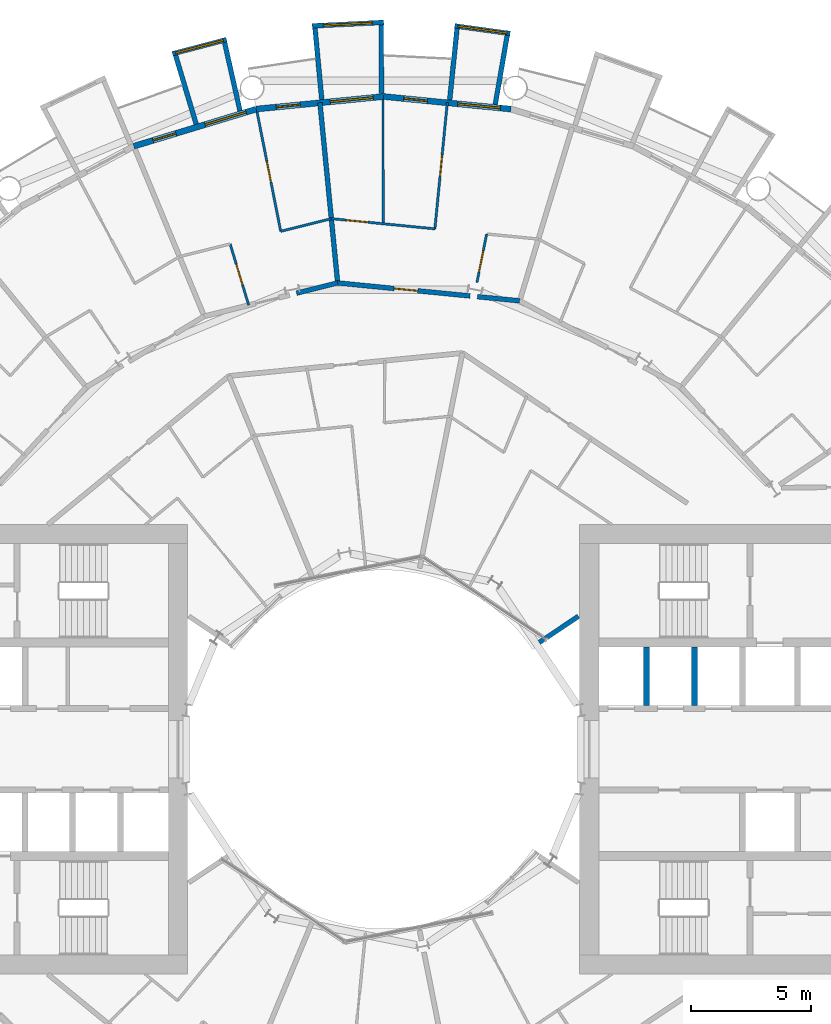
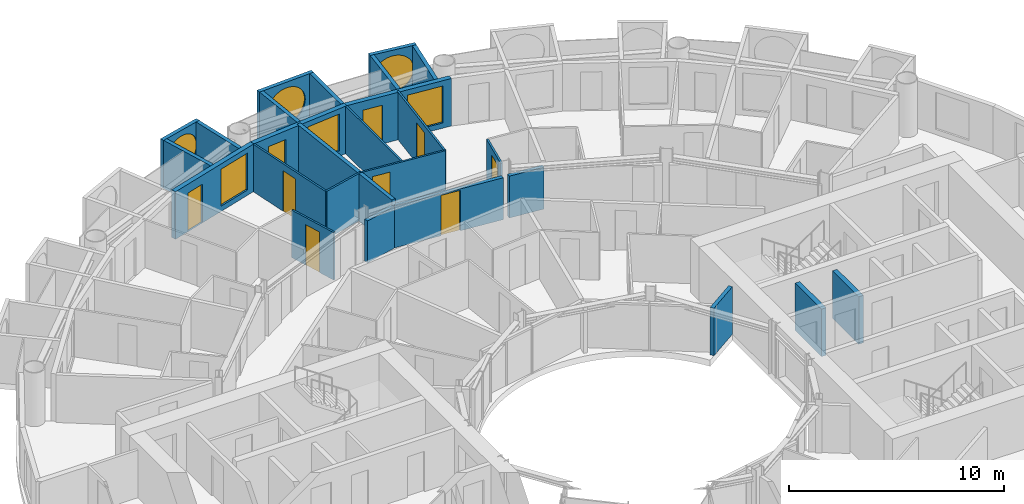
# One storey, part 20 of 26: 26 walls, 9 doors, 6 windows, 15 openings.
"""IFC4 building model written with IfcOpenShell, lengths in metres."""

from ifc_helpers import new_model, si_unit, direction, frame, frame_2d, origin, place, context, subcontext, project, spatial, rectangle, circle, extrude, material, layer, layer_set, type_object, element, fill, save


model = new_model("IFC4")

# Units and contexts
model_context = context("Model", 3, precision=1e-05, world=origin(), true_north=direction((0.0, 1.0)))
body_context = subcontext(model_context, "Body", "Model", "MODEL_VIEW")
ifc_project = project(units=[si_unit("LENGTHUNIT", "METRE"), si_unit("AREAUNIT", "SQUARE_METRE"), si_unit("VOLUMEUNIT", "CUBIC_METRE"), si_unit("PLANEANGLEUNIT", "RADIAN"), si_unit("MASSUNIT", "GRAM", prefix="KILO")], contexts=[model_context])

# Site, building, storey
site_placement = place(None, origin())
site = spatial("IfcSite", under=ifc_project, at=site_placement, CompositionType="ELEMENT")
building_placement = place(site_placement, origin())
building = spatial("IfcBuilding", under=site, at=building_placement, Name="Maasbend Ring Residences", CompositionType="ELEMENT")
storey_placement = place(building_placement, frame((0.0, 0.0, 22.800048828125)))
storey = spatial("IfcBuildingStorey", under=building, at=storey_placement, Name="L05", CompositionType="ELEMENT", Elevation=22.800048828125)

# Wall, opening, door
ifc_material_1 = material(Name="Concrete C30/37", Category="concrete")
ifc_layer_1 = layer(ifc_material_1, 0.199951171875)
ifc_layer_set_1 = layer_set([ifc_layer_1], Name="Concrete C30/37")
wall_type_1 = type_object("IfcWallType", Name="CORRIDOR WALL 200 CONCRETE", PredefinedType="PARTITIONING", material=ifc_layer_set_1)
wall_1_placement = place(storey_placement, frame((-1.927978515625, 19.5048828125, 0.0), z_axis=(0.0, 0.0, 1.0), x_axis=(0.995204127684, -0.097819958296, 0.0)))
wall_1 = element("IfcWall", 1, at=wall_1_placement, inside=storey, type_object=wall_type_1, Name="U-L05-w109", PredefinedType="PARTITIONING", context=body_context, shape_type="SweptSolid", body=[
    extrude(rectangle(XDim=5.570556640625, YDim=0.199951171875, at=frame_2d((2.78515625, 0.0))), origin(), (0.0, 0.0, 1.0), 2.3798828125),
])
opening_1_placement = place(wall_1_placement, frame((2.375, 0.0, 0.0)))
opening_1 = element("IfcOpeningElement", 2, at=opening_1_placement, cuts=wall_1, Name="Opening D-0508", PredefinedType="OPENING", context=body_context, shape_type="SweptSolid", body=[
    extrude(rectangle(XDim=1.0, YDim=2.300048828125, at=frame_2d((0.5, 1.14990234375))), frame((0.0, 0.10986328125, 0.0), z_axis=(0.0, -1.0, 0.0), x_axis=(1.0, 0.0, 0.0)), (0.0, 0.0, 1.0), 0.219970703125),
])
ifc_material_2 = material(Name="Timber, fire-rated, painted", Category="wood")
door_type_1 = type_object("IfcDoorType", Name="FLAT ENTRANCE DOOR 1000 X 2300 FIRE-RATED", OperationType="NOTDEFINED", PredefinedType="DOOR", material=ifc_material_2)
door_1_placement = place(opening_1_placement, origin())
door_1 = element("IfcDoor", 3, at=door_1_placement, inside=storey, type_object=door_type_1, Name="D-0508", OperationType="SINGLE_SWING_RIGHT", OverallHeight=2.300048828125, OverallWidth=1.0, PredefinedType="DOOR", context=body_context, shape_type="SweptSolid", body=[
    extrude(rectangle(XDim=1.0, YDim=2.300048828125, at=frame_2d((0.5, 1.14990234375))), frame((0.0, 0.02490234375, 0.0), z_axis=(0.0, -1.0, 0.0), x_axis=(1.0, 0.0, 0.0)), (0.0, 0.0, 1.0), 0.050048828125),
])
fill(opening_1, door_1)

# Walls
wall_2_placement = place(storey_placement, frame((3.9208984375, 18.929931640625, 0.0), z_axis=(0.0, 0.0, 1.0), x_axis=(0.995207057161, -0.097790149696, 0.0)))
element("IfcWall", 4, at=wall_2_placement, inside=storey, type_object=wall_type_1, Name="U-L05-w110", PredefinedType="PARTITIONING", context=body_context, shape_type="SweptSolid", body=[
    extrude(rectangle(XDim=1.777587890625, YDim=0.199951171875, at=frame_2d((0.888671875, 0.0))), origin(), (0.0, 0.0, 1.0), 2.3798828125),
])
wall_3_placement = place(storey_placement, frame((-3.638916015625, 19.075927734375, 0.0), z_axis=(0.0, 0.0, 1.0), x_axis=(0.970053237222, 0.242892397895, 0.0)))
element("IfcWall", 5, at=wall_3_placement, inside=storey, type_object=wall_type_1, Name="U-L05-w117", PredefinedType="PARTITIONING", context=body_context, shape_type="SweptSolid", body=[
    extrude(rectangle(XDim=1.77099609375, YDim=0.199951171875, at=frame_2d((0.885498046875, 0.0))), origin(), (0.0, 0.0, 1.0), 2.3798828125),
])

# Wall, opening, window
ifc_material_3 = material(Name="Pale anodised aluminium panel", Category="aluminium")
ifc_layer_2 = layer(ifc_material_3, 0.199951171875)
ifc_layer_set_2 = layer_set([ifc_layer_2], Name="EW-BOX")
wall_type_2 = type_object("IfcWallType", Name="EW-BOX", PredefinedType="SOLIDWALL", material=ifc_layer_set_2)
wall_4_placement = place(storey_placement, frame((5.2900390625, 29.93603515625, -0.030029296875), z_axis=(0.0, 0.0, 1.0), x_axis=(-0.990696111261, 0.136092671119, 0.0)))
wall_4 = element("IfcWall", 6, at=wall_4_placement, inside=storey, type_object=wall_type_2, Name="Box front N09", PredefinedType="SOLIDWALL", context=body_context, shape_type="SweptSolid", body=[
    extrude(rectangle(XDim=2.335693359375, YDim=0.199951171875, at=frame_2d((1.16796875, 0.0))), origin(), (0.0, 0.0, 1.0), 2.72998046875),
])
opening_2_placement = place(wall_4_placement, frame((0.128173828125, 0.0, 0.330078125)))
opening_2 = element("IfcOpeningElement", 7, at=opening_2_placement, cuts=wall_4, Name="Opening W-RD", PredefinedType="OPENING", context=body_context, shape_type="SweptSolid", body=[
    extrude(circle(Radius=1.0400390625, at=frame_2d((1.0400390625, 1.0400390625))), frame((0.0, 0.10986328125, 0.0), z_axis=(0.0, -1.0, 0.0), x_axis=(1.0, 0.0, 0.0)), (0.0, 0.0, 1.0), 0.219970703125),
])
ifc_material_4 = material(Name="Aluminium and clear glass", Category="aluminium")
window_type_1 = type_object("IfcWindowType", Name="W-RD", PartitioningType="SINGLE_PANEL", PredefinedType="WINDOW", material=ifc_material_4)
window_1_placement = place(opening_2_placement, origin())
window_1 = element("IfcWindow", 8, at=window_1_placement, inside=storey, type_object=window_type_1, Name="Round window N09", OverallHeight=2.080078125, OverallWidth=2.080078125, PartitioningType="SINGLE_PANEL", PredefinedType="WINDOW", context=body_context, shape_type="SweptSolid", body=[
    extrude(circle(Radius=1.0400390625, at=frame_2d((1.0400390625, 1.0400390625))), frame((0.0, 0.030029296875, 0.0), z_axis=(0.0, -1.0, 0.0), x_axis=(1.0, 0.0, 0.0)), (0.0, 0.0, 1.0), 0.06005859375),
])
fill(opening_2, window_1)

# Walls
wall_5_placement = place(storey_placement, frame((4.6708984375, 26.966064453125, -0.030029296875), z_axis=(0.0, 0.0, 1.0), x_axis=(0.170539878907, 0.985350774954, 0.0)))
element("IfcWall", 9, at=wall_5_placement, inside=storey, type_object=wall_type_2, Name="Box side wall N09 left", PredefinedType="SOLIDWALL", context=body_context, shape_type="SweptSolid", body=[
    extrude(rectangle(XDim=2.931884765625, YDim=0.199951171875, at=frame_2d((1.4658203125, 0.0))), origin(), (0.0, 0.0, 1.0), 2.72998046875),
])
wall_6_placement = place(storey_placement, frame((2.763916015625, 27.153076171875, -0.030029296875), z_axis=(0.0, 0.0, 1.0), x_axis=(0.101505487237, 0.994834979311, 0.0)))
element("IfcWall", 10, at=wall_6_placement, inside=storey, type_object=wall_type_2, Name="Box side wall N09 right", PredefinedType="SOLIDWALL", context=body_context, shape_type="SweptSolid", body=[
    extrude(rectangle(XDim=3.006591796875, YDim=0.199951171875, at=frame_2d((1.50341796875, 0.0))), origin(), (0.0, 0.0, 1.0), 2.72998046875),
])

# Wall, opening, window
wall_7_placement = place(storey_placement, frame((0.0048828125, 30.39990234375, -0.030029296875), z_axis=(0.0, 0.0, 1.0), x_axis=(-0.998794083011, -0.049095618353, 0.0)))
wall_7 = element("IfcWall", 11, at=wall_7_placement, inside=storey, type_object=wall_type_2, Name="Box front N11", PredefinedType="SOLIDWALL", context=body_context, shape_type="SweptSolid", body=[
    extrude(rectangle(XDim=2.99365234375, YDim=0.199951171875, at=frame_2d((1.496826171875, 0.0))), origin(), (0.0, 0.0, 1.0), 2.72998046875),
])
opening_3_placement = place(wall_7_placement, frame((0.45654296875, 0.0, 0.330078125)))
opening_3 = element("IfcOpeningElement", 12, at=opening_3_placement, cuts=wall_7, Name="Opening W-RD", PredefinedType="OPENING", context=body_context, shape_type="SweptSolid", body=[
    extrude(circle(Radius=1.0400390625, at=frame_2d((1.0400390625, 1.0400390625))), frame((0.0, 0.10986328125, 0.0), z_axis=(0.0, -1.0, 0.0), x_axis=(1.0, 0.0, 0.0)), (0.0, 0.0, 1.0), 0.219970703125),
])
window_2_placement = place(opening_3_placement, origin())
window_2 = element("IfcWindow", 13, at=window_2_placement, inside=storey, type_object=window_type_1, Name="Round window N11", OverallHeight=2.080078125, OverallWidth=2.080078125, PartitioningType="SINGLE_PANEL", PredefinedType="WINDOW", context=body_context, shape_type="SweptSolid", body=[
    extrude(circle(Radius=1.0400390625, at=frame_2d((1.0400390625, 1.0400390625))), frame((0.0, 0.030029296875, 0.0), z_axis=(0.0, -1.0, 0.0), x_axis=(1.0, 0.0, 0.0)), (0.0, 0.0, 1.0), 0.06005859375),
])
fill(opening_3, window_2)

# Walls
wall_8_placement = place(storey_placement, frame((-0.090087890625, 27.4169921875, -0.030029296875), z_axis=(0.0, 0.0, 1.0), x_axis=(-0.00347308367, 0.999993968827, 0.0)))
element("IfcWall", 14, at=wall_8_placement, inside=storey, type_object=wall_type_2, Name="Box side wall N11 left", PredefinedType="SOLIDWALL", context=body_context, shape_type="SweptSolid", body=[
    extrude(rectangle(XDim=2.882080078125, YDim=0.199951171875, at=frame_2d((1.44091796875, 0.0))), origin(), (0.0, 0.0, 1.0), 2.72998046875),
])
wall_9_placement = place(storey_placement, frame((-2.5859375, 27.1708984375, -0.030029296875), z_axis=(0.0, 0.0, 1.0), x_axis=(-0.094548432284, 0.995520262954, 0.0)))
element("IfcWall", 15, at=wall_9_placement, inside=storey, type_object=wall_type_2, Name="Box side wall N11 right", PredefinedType="SOLIDWALL", context=body_context, shape_type="SweptSolid", body=[
    extrude(rectangle(XDim=3.005615234375, YDim=0.199951171875, at=frame_2d((1.5029296875, 0.0))), origin(), (0.0, 0.0, 1.0), 2.72998046875),
])

# Wall, opening, window
wall_10_placement = place(storey_placement, frame((-6.568115234375, 29.681884765625, -0.030029296875), z_axis=(0.0, 0.0, 1.0), x_axis=(-0.967377102346, -0.253340762326, 0.0)))
wall_10 = element("IfcWall", 16, at=wall_10_placement, inside=storey, type_object=wall_type_2, Name="Box front N13", PredefinedType="SOLIDWALL", context=body_context, shape_type="SweptSolid", body=[
    extrude(rectangle(XDim=2.3359375, YDim=0.199951171875, at=frame_2d((1.16796875, 0.0))), origin(), (0.0, 0.0, 1.0), 2.72998046875),
])
opening_4_placement = place(wall_10_placement, frame((0.128173828125, 0.0, 0.330078125)))
opening_4 = element("IfcOpeningElement", 17, at=opening_4_placement, cuts=wall_10, Name="Opening W-RD", PredefinedType="OPENING", context=body_context, shape_type="SweptSolid", body=[
    extrude(circle(Radius=1.0400390625, at=frame_2d((1.0400390625, 1.0400390625))), frame((0.0, 0.10986328125, 0.0), z_axis=(0.0, -1.0, 0.0), x_axis=(1.0, 0.0, 0.0)), (0.0, 0.0, 1.0), 0.219970703125),
])
window_3_placement = place(opening_4_placement, origin())
window_3 = element("IfcWindow", 18, at=window_3_placement, inside=storey, type_object=window_type_1, Name="Round window N13", OverallHeight=2.080078125, OverallWidth=2.080078125, PartitioningType="SINGLE_PANEL", PredefinedType="WINDOW", context=body_context, shape_type="SweptSolid", body=[
    extrude(circle(Radius=1.0400390625, at=frame_2d((1.0400390625, 1.0400390625))), frame((0.0, 0.030029296875, 0.0), z_axis=(0.0, -1.0, 0.0), x_axis=(1.0, 0.0, 0.0)), (0.0, 0.0, 1.0), 0.06005859375),
])
fill(opening_4, window_3)

# Walls
wall_11_placement = place(storey_placement, frame((-6.00390625, 26.699951171875, -0.030029296875), z_axis=(0.0, 0.0, 1.0), x_axis=(-0.219609259383, 0.975587911566, 0.0)))
element("IfcWall", 19, at=wall_11_placement, inside=storey, type_object=wall_type_2, Name="Box side wall N13 left", PredefinedType="SOLIDWALL", context=body_context, shape_type="SweptSolid", body=[
    extrude(rectangle(XDim=2.9326171875, YDim=0.199951171875, at=frame_2d((1.46630859375, 0.0))), origin(), (0.0, 0.0, 1.0), 2.72998046875),
])
wall_12_placement = place(storey_placement, frame((-7.8369140625, 26.14404296875, -0.030029296875), z_axis=(0.0, 0.0, 1.0), x_axis=(-0.287064767992, 0.957911174889, 0.0)))
element("IfcWall", 20, at=wall_12_placement, inside=storey, type_object=wall_type_2, Name="Box side wall N13 right", PredefinedType="SOLIDWALL", context=body_context, shape_type="SweptSolid", body=[
    extrude(rectangle(XDim=3.00634765625, YDim=0.199951171875, at=frame_2d((1.503173828125, 0.0))), origin(), (0.0, 0.0, 1.0), 2.72998046875),
])

# Wall, openings, door, window
ifc_material_5 = material(Name="Aluminium clad insulated panel", Category="aluminium")
ifc_layer_3 = layer(ifc_material_5, 0.25)
ifc_layer_set_3 = layer_set([ifc_layer_3], Name="EW-GL")
wall_type_3 = type_object("IfcWallType", Name="EW-GL", PredefinedType="SOLIDWALL", material=ifc_layer_set_3)
wall_13_placement = place(storey_placement, frame((5.325927734375, 26.77490234375, 0.0), z_axis=(0.0, 0.0, 1.0), x_axis=(-0.995173996315, 0.098126026407, 0.0)))
wall_13 = element("IfcWall", 21, at=wall_13_placement, inside=storey, type_object=wall_type_3, Name="External wall N05", PredefinedType="SOLIDWALL", context=body_context, shape_type="SweptSolid", body=[
    extrude(rectangle(XDim=5.351806640625, YDim=0.25, at=frame_2d((2.67578125, 0.0))), origin(), (0.0, 0.0, 1.0), 2.699951171875),
])
opening_5_placement = place(wall_13_placement, frame((0.441162109375, 0.0, 0.300048828125)))
opening_5 = element("IfcOpeningElement", 22, at=opening_5_placement, cuts=wall_13, Name="Opening W-BX", PredefinedType="OPENING", context=body_context, shape_type="SweptSolid", body=[
    extrude(rectangle(XDim=1.800048828125, YDim=2.10009765625, at=frame_2d((0.89990234375, 1.050048828125))), frame((0.0, 0.135009765625, 0.0), z_axis=(0.0, -1.0, 0.0), x_axis=(1.0, 0.0, 0.0)), (0.0, 0.0, 1.0), 0.27001953125),
])
opening_6_placement = place(wall_13_placement, frame((3.510498046875, 0.0, 0.0)))
opening_6 = element("IfcOpeningElement", 23, at=opening_6_placement, cuts=wall_13, Name="Opening D-LG", PredefinedType="OPENING", context=body_context, shape_type="SweptSolid", body=[
    extrude(rectangle(XDim=1.0, YDim=2.199951171875, at=frame_2d((0.5, 1.10009765625))), frame((0.0, 0.135009765625, 0.0), z_axis=(0.0, -1.0, 0.0), x_axis=(1.0, 0.0, 0.0)), (0.0, 0.0, 1.0), 0.27001953125),
])
ifc_material_6 = material(Name="Aluminium and clear glass", Category="aluminium")
door_type_2 = type_object("IfcDoorType", Name="D-LG", OperationType="SINGLE_SWING_LEFT", PredefinedType="DOOR", material=ifc_material_6)
door_2_placement = place(opening_6_placement, origin())
door_2 = element("IfcDoor", 24, at=door_2_placement, inside=storey, type_object=door_type_2, Name="Loggia door N10", OperationType="SINGLE_SWING_LEFT", OverallHeight=2.199951171875, OverallWidth=1.0, PredefinedType="DOOR", context=body_context, shape_type="SweptSolid", body=[
    extrude(rectangle(XDim=1.0, YDim=2.199951171875, at=frame_2d((0.5, 1.10009765625))), frame((0.0, 0.02490234375, 0.0), z_axis=(0.0, -1.0, 0.0), x_axis=(1.0, 0.0, 0.0)), (0.0, 0.0, 1.0), 0.050048828125),
])
fill(opening_6, door_2)
ifc_material_7 = material(Name="Aluminium and clear glass", Category="aluminium")
window_type_2 = type_object("IfcWindowType", Name="W-BX", PartitioningType="DOUBLE_PANEL_VERTICAL", PredefinedType="WINDOW", material=ifc_material_7)
window_4_placement = place(opening_5_placement, origin())
window_4 = element("IfcWindow", 25, at=window_4_placement, inside=storey, type_object=window_type_2, Name="Window N09 room to box", OverallHeight=2.10009765625, OverallWidth=1.800048828125, PartitioningType="SINGLE_PANEL", PredefinedType="WINDOW", context=body_context, shape_type="SweptSolid", body=[
    extrude(rectangle(XDim=1.800048828125, YDim=2.10009765625, at=frame_2d((0.89990234375, 1.050048828125))), frame((0.0, 0.030029296875, 0.0), z_axis=(0.0, -1.0, 0.0), x_axis=(1.0, 0.0, 0.0)), (0.0, 0.0, 1.0), 0.06005859375),
])
fill(opening_5, window_4)

wall_14_placement = place(storey_placement, frame((0.0, 27.300048828125, 0.0), z_axis=(0.0, 0.0, 1.0), x_axis=(-0.995173996315, -0.098126026407, 0.0)))
wall_14 = element("IfcWall", 26, at=wall_14_placement, inside=storey, type_object=wall_type_3, Name="External wall N06", PredefinedType="SOLIDWALL", context=body_context, shape_type="SweptSolid", body=[
    extrude(rectangle(XDim=5.351806640625, YDim=0.25, at=frame_2d((2.67578125, 0.0))), origin(), (0.0, 0.0, 1.0), 2.699951171875),
])
opening_7_placement = place(wall_14_placement, frame((0.441162109375, 0.0, 0.300048828125)))
opening_7 = element("IfcOpeningElement", 27, at=opening_7_placement, cuts=wall_14, Name="Opening W-BX", PredefinedType="OPENING", context=body_context, shape_type="SweptSolid", body=[
    extrude(rectangle(XDim=1.800048828125, YDim=2.10009765625, at=frame_2d((0.89990234375, 1.050048828125))), frame((0.0, 0.135009765625, 0.0), z_axis=(0.0, -1.0, 0.0), x_axis=(1.0, 0.0, 0.0)), (0.0, 0.0, 1.0), 0.27001953125),
])
opening_8_placement = place(wall_14_placement, frame((3.510498046875, 0.0, 0.0)))
opening_8 = element("IfcOpeningElement", 28, at=opening_8_placement, cuts=wall_14, Name="Opening D-LG", PredefinedType="OPENING", context=body_context, shape_type="SweptSolid", body=[
    extrude(rectangle(XDim=1.0, YDim=2.199951171875, at=frame_2d((0.5, 1.10009765625))), frame((0.0, 0.135009765625, 0.0), z_axis=(0.0, -1.0, 0.0), x_axis=(1.0, 0.0, 0.0)), (0.0, 0.0, 1.0), 0.27001953125),
])
door_3_placement = place(opening_8_placement, origin())
door_3 = element("IfcDoor", 29, at=door_3_placement, inside=storey, type_object=door_type_2, Name="Loggia door N12", OperationType="SINGLE_SWING_LEFT", OverallHeight=2.199951171875, OverallWidth=1.0, PredefinedType="DOOR", context=body_context, shape_type="SweptSolid", body=[
    extrude(rectangle(XDim=1.0, YDim=2.199951171875, at=frame_2d((0.5, 1.10009765625))), frame((0.0, 0.02490234375, 0.0), z_axis=(0.0, -1.0, 0.0), x_axis=(1.0, 0.0, 0.0)), (0.0, 0.0, 1.0), 0.050048828125),
])
fill(opening_8, door_3)
window_5_placement = place(opening_7_placement, origin())
window_5 = element("IfcWindow", 30, at=window_5_placement, inside=storey, type_object=window_type_2, Name="Window N11 room to box", OverallHeight=2.10009765625, OverallWidth=1.800048828125, PartitioningType="SINGLE_PANEL", PredefinedType="WINDOW", context=body_context, shape_type="SweptSolid", body=[
    extrude(rectangle(XDim=1.800048828125, YDim=2.10009765625, at=frame_2d((0.89990234375, 1.050048828125))), frame((0.0, 0.030029296875, 0.0), z_axis=(0.0, -1.0, 0.0), x_axis=(1.0, 0.0, 0.0)), (0.0, 0.0, 1.0), 0.06005859375),
])
fill(opening_7, window_5)

wall_15_placement = place(storey_placement, frame((-5.325927734375, 26.77490234375, 0.0), z_axis=(0.0, 0.0, 1.0), x_axis=(-0.956965678721, -0.290201119486, 0.0)))
wall_15 = element("IfcWall", 31, at=wall_15_placement, inside=storey, type_object=wall_type_3, Name="External wall N07", PredefinedType="SOLIDWALL", context=body_context, shape_type="SweptSolid", body=[
    extrude(rectangle(XDim=5.351318359375, YDim=0.25, at=frame_2d((2.67578125, 0.0))), origin(), (0.0, 0.0, 1.0), 2.699951171875),
])
opening_9_placement = place(wall_15_placement, frame((0.441162109375, 0.0, 0.300048828125)))
opening_9 = element("IfcOpeningElement", 32, at=opening_9_placement, cuts=wall_15, Name="Opening W-BX", PredefinedType="OPENING", context=body_context, shape_type="SweptSolid", body=[
    extrude(rectangle(XDim=1.800048828125, YDim=2.10009765625, at=frame_2d((0.89990234375, 1.050048828125))), frame((0.0, 0.135009765625, 0.0), z_axis=(0.0, -1.0, 0.0), x_axis=(1.0, 0.0, 0.0)), (0.0, 0.0, 1.0), 0.27001953125),
])
opening_10_placement = place(wall_15_placement, frame((3.510498046875, 0.0, 0.0)))
opening_10 = element("IfcOpeningElement", 33, at=opening_10_placement, cuts=wall_15, Name="Opening D-LG", PredefinedType="OPENING", context=body_context, shape_type="SweptSolid", body=[
    extrude(rectangle(XDim=1.0, YDim=2.199951171875, at=frame_2d((0.5, 1.10009765625))), frame((0.0, 0.135009765625, 0.0), z_axis=(0.0, -1.0, 0.0), x_axis=(1.0, 0.0, 0.0)), (0.0, 0.0, 1.0), 0.27001953125),
])
door_4_placement = place(opening_10_placement, origin())
door_4 = element("IfcDoor", 34, at=door_4_placement, inside=storey, type_object=door_type_2, Name="Loggia door N14", OperationType="SINGLE_SWING_LEFT", OverallHeight=2.199951171875, OverallWidth=1.0, PredefinedType="DOOR", context=body_context, shape_type="SweptSolid", body=[
    extrude(rectangle(XDim=1.0, YDim=2.199951171875, at=frame_2d((0.5, 1.10009765625))), frame((0.0, 0.02490234375, 0.0), z_axis=(0.0, -1.0, 0.0), x_axis=(1.0, 0.0, 0.0)), (0.0, 0.0, 1.0), 0.050048828125),
])
fill(opening_10, door_4)
window_6_placement = place(opening_9_placement, origin())
window_6 = element("IfcWindow", 35, at=window_6_placement, inside=storey, type_object=window_type_2, Name="Window N13 room to box", OverallHeight=2.10009765625, OverallWidth=1.800048828125, PartitioningType="SINGLE_PANEL", PredefinedType="WINDOW", context=body_context, shape_type="SweptSolid", body=[
    extrude(rectangle(XDim=1.800048828125, YDim=2.10009765625, at=frame_2d((0.89990234375, 1.050048828125))), frame((0.0, 0.030029296875, 0.0), z_axis=(0.0, -1.0, 0.0), x_axis=(1.0, 0.0, 0.0)), (0.0, 0.0, 1.0), 0.06005859375),
])
fill(opening_9, window_6)

# Wall, opening, door
ifc_material_8 = material(Name="Gypsum board on steel studs", Category="steel")
ifc_layer_4 = layer(ifc_material_8, 0.10009765625)
ifc_layer_set_4 = layer_set([ifc_layer_4], Name="PARTITION 100 GYPSUM")
wall_type_4 = type_object("IfcWallType", Name="PARTITION 100 GYPSUM", PredefinedType="PARTITIONING", material=ifc_layer_set_4)
wall_16_placement = place(storey_placement, frame((-6.41796875, 21.133056640625, 0.0), z_axis=(0.0, 0.0, 1.0), x_axis=(0.290478618436, -0.956881482855, 0.0)))
wall_16 = element("IfcWall", 36, at=wall_16_placement, inside=storey, type_object=wall_type_4, Name="U-L05-w055", PredefinedType="PARTITIONING", context=body_context, shape_type="SweptSolid", body=[
    extrude(rectangle(XDim=2.67431640625, YDim=0.10009765625, at=frame_2d((1.337158203125, 0.0))), origin(), (0.0, 0.0, 1.0), 2.699951171875),
])
opening_11_placement = place(wall_16_placement, frame((0.886962890625, 0.0, 0.0)))
opening_11 = element("IfcOpeningElement", 37, at=opening_11_placement, cuts=wall_16, Name="Opening D-0513", PredefinedType="OPENING", context=body_context, shape_type="SweptSolid", body=[
    extrude(rectangle(XDim=0.89990234375, YDim=2.300048828125, at=frame_2d((0.449951171875, 1.14990234375))), frame((0.0, 0.06005859375, 0.0), z_axis=(0.0, -1.0, 0.0), x_axis=(1.0, 0.0, 0.0)), (0.0, 0.0, 1.0), 0.1201171875),
])
ifc_material_9 = material(Name="Timber, painted", Category="wood")
door_type_3 = type_object("IfcDoorType", Name="INTERNAL DOOR 900 X 2300", OperationType="NOTDEFINED", PredefinedType="DOOR", material=ifc_material_9)
door_5_placement = place(opening_11_placement, origin())
door_5 = element("IfcDoor", 38, at=door_5_placement, inside=storey, type_object=door_type_3, Name="D-0513", OperationType="SINGLE_SWING_RIGHT", OverallHeight=2.300048828125, OverallWidth=0.89990234375, PredefinedType="DOOR", context=body_context, shape_type="SweptSolid", body=[
    extrude(rectangle(XDim=0.89990234375, YDim=2.300048828125, at=frame_2d((0.449951171875, 1.14990234375))), frame((0.0, 0.02490234375, 0.0), z_axis=(0.0, -1.0, 0.0), x_axis=(1.0, 0.0, 0.0)), (0.0, 0.0, 1.0), 0.050048828125),
])
fill(opening_11, door_5)

wall_17_placement = place(storey_placement, frame((-5.29296875, 26.655029296875, 0.0), z_axis=(0.0, 0.0, 1.0), x_axis=(0.194713709563, -0.980860118115, 0.0)))
wall_17 = element("IfcWall", 39, at=wall_17_placement, inside=storey, type_object=wall_type_4, Name="U-L05-w056", PredefinedType="PARTITIONING", context=body_context, shape_type="SweptSolid", body=[
    extrude(rectangle(XDim=5.08935546875, YDim=0.10009765625, at=frame_2d((2.544677734375, 0.0))), origin(), (0.0, 0.0, 1.0), 2.699951171875),
])
opening_12_placement = place(wall_17_placement, frame((2.094970703125, 0.0, 0.0)))
opening_12 = element("IfcOpeningElement", 40, at=opening_12_placement, cuts=wall_17, Name="Opening D-0514", PredefinedType="OPENING", context=body_context, shape_type="SweptSolid", body=[
    extrude(rectangle(XDim=0.89990234375, YDim=2.300048828125, at=frame_2d((0.449951171875, 1.14990234375))), frame((0.0, 0.06005859375, 0.0), z_axis=(0.0, -1.0, 0.0), x_axis=(1.0, 0.0, 0.0)), (0.0, 0.0, 1.0), 0.1201171875),
])
door_6_placement = place(opening_12_placement, origin())
door_6 = element("IfcDoor", 41, at=door_6_placement, inside=storey, type_object=door_type_3, Name="D-0514", OperationType="SINGLE_SWING_RIGHT", OverallHeight=2.300048828125, OverallWidth=0.89990234375, PredefinedType="DOOR", context=body_context, shape_type="SweptSolid", body=[
    extrude(rectangle(XDim=0.89990234375, YDim=2.300048828125, at=frame_2d((0.449951171875, 1.14990234375))), frame((0.0, 0.02490234375, 0.0), z_axis=(0.0, -1.0, 0.0), x_axis=(1.0, 0.0, 0.0)), (0.0, 0.0, 1.0), 0.050048828125),
])
fill(opening_12, door_6)

# Wall
wall_18_placement = place(storey_placement, frame((-0.02099609375, 21.97900390625, 0.0), z_axis=(0.0, 0.0, 1.0), x_axis=(-0.00093971673, 0.999999558466, 0.0)))
element("IfcWall", 42, at=wall_18_placement, inside=storey, type_object=wall_type_4, Name="U-L05-w064", PredefinedType="PARTITIONING", context=body_context, shape_type="SweptSolid", body=[
    extrude(rectangle(XDim=5.196044921875, YDim=0.10009765625, at=frame_2d((2.59814453125, 0.0))), origin(), (0.0, 0.0, 1.0), 2.699951171875),
])

# Wall, opening, door
wall_19_placement = place(storey_placement, frame((2.14404296875, 21.76611328125, 0.0), z_axis=(0.0, 0.0, 1.0), x_axis=(0.098054199821, 0.995181075934, 0.0)))
wall_19 = element("IfcWall", 43, at=wall_19_placement, inside=storey, type_object=wall_type_4, Name="U-L05-w072", PredefinedType="PARTITIONING", context=body_context, shape_type="SweptSolid", body=[
    extrude(rectangle(XDim=5.303466796875, YDim=0.10009765625, at=frame_2d((2.65185546875, 0.0))), origin(), (0.0, 0.0, 1.0), 2.699951171875),
])
opening_13_placement = place(wall_19_placement, frame((2.201904296875, 0.0, 0.0)))
opening_13 = element("IfcOpeningElement", 44, at=opening_13_placement, cuts=wall_19, Name="Opening D-0510", PredefinedType="OPENING", context=body_context, shape_type="SweptSolid", body=[
    extrude(rectangle(XDim=0.89990234375, YDim=2.300048828125, at=frame_2d((0.449951171875, 1.14990234375))), frame((0.0, 0.06005859375, 0.0), z_axis=(0.0, -1.0, 0.0), x_axis=(1.0, 0.0, 0.0)), (0.0, 0.0, 1.0), 0.1201171875),
])
door_7_placement = place(opening_13_placement, origin())
door_7 = element("IfcDoor", 45, at=door_7_placement, inside=storey, type_object=door_type_3, Name="D-0510", OperationType="SINGLE_SWING_LEFT", OverallHeight=2.300048828125, OverallWidth=0.89990234375, PredefinedType="DOOR", context=body_context, shape_type="SweptSolid", body=[
    extrude(rectangle(XDim=0.89990234375, YDim=2.300048828125, at=frame_2d((0.449951171875, 1.14990234375))), frame((0.0, 0.02490234375, 0.0), z_axis=(0.0, -1.0, 0.0), x_axis=(1.0, 0.0, 0.0)), (0.0, 0.0, 1.0), 0.050048828125),
])
fill(opening_13, door_7)

wall_20_placement = place(storey_placement, frame((3.903076171875, 19.52392578125, 0.0), z_axis=(0.0, 0.0, 1.0), x_axis=(0.19620689099, 0.980562520153, 0.0)))
wall_20 = element("IfcWall", 46, at=wall_20_placement, inside=storey, type_object=wall_type_4, Name="U-L05-w076", PredefinedType="PARTITIONING", context=body_context, shape_type="SweptSolid", body=[
    extrude(rectangle(XDim=2.0693359375, YDim=0.10009765625, at=frame_2d((1.03466796875, 0.0))), origin(), (0.0, 0.0, 1.0), 2.699951171875),
])
opening_14_placement = place(wall_20_placement, frame((0.4580078125, 0.0, 0.0)))
opening_14 = element("IfcOpeningElement", 47, at=opening_14_placement, cuts=wall_20, Name="Opening D-0509", PredefinedType="OPENING", context=body_context, shape_type="SweptSolid", body=[
    extrude(rectangle(XDim=0.89990234375, YDim=2.300048828125, at=frame_2d((0.449951171875, 1.14990234375))), frame((0.0, 0.06005859375, 0.0), z_axis=(0.0, -1.0, 0.0), x_axis=(1.0, 0.0, 0.0)), (0.0, 0.0, 1.0), 0.1201171875),
])
door_8_placement = place(opening_14_placement, origin())
door_8 = element("IfcDoor", 48, at=door_8_placement, inside=storey, type_object=door_type_3, Name="D-0509", OperationType="SINGLE_SWING_LEFT", OverallHeight=2.300048828125, OverallWidth=0.89990234375, PredefinedType="DOOR", context=body_context, shape_type="SweptSolid", body=[
    extrude(rectangle(XDim=0.89990234375, YDim=2.300048828125, at=frame_2d((0.449951171875, 1.14990234375))), frame((0.0, 0.02490234375, 0.0), z_axis=(0.0, -1.0, 0.0), x_axis=(1.0, 0.0, 0.0)), (0.0, 0.0, 1.0), 0.050048828125),
])
fill(opening_14, door_8)

wall_21_placement = place(storey_placement, frame((-2.19091796875, 22.193115234375, 0.0), z_axis=(0.0, 0.0, 1.0), x_axis=(0.995194459907, -0.097918266785, 0.0)))
wall_21 = element("IfcWall", 49, at=wall_21_placement, inside=storey, type_object=wall_type_4, Name="U-L05-w121", PredefinedType="PARTITIONING", context=body_context, shape_type="SweptSolid", body=[
    extrude(rectangle(XDim=4.36083984375, YDim=0.10009765625, at=frame_2d((2.180419921875, 0.0))), origin(), (0.0, 0.0, 1.0), 2.699951171875),
])
opening_15_placement = place(wall_21_placement, frame((0.639892578125, 0.0, 0.0)))
opening_15 = element("IfcOpeningElement", 50, at=opening_15_placement, cuts=wall_21, Name="Opening D-0511", PredefinedType="OPENING", context=body_context, shape_type="SweptSolid", body=[
    extrude(rectangle(XDim=0.89990234375, YDim=2.300048828125, at=frame_2d((0.449951171875, 1.14990234375))), frame((0.0, 0.06005859375, 0.0), z_axis=(0.0, -1.0, 0.0), x_axis=(1.0, 0.0, 0.0)), (0.0, 0.0, 1.0), 0.1201171875),
])
door_9_placement = place(opening_15_placement, origin())
door_9 = element("IfcDoor", 51, at=door_9_placement, inside=storey, type_object=door_type_3, Name="D-0511", OperationType="SINGLE_SWING_LEFT", OverallHeight=2.300048828125, OverallWidth=0.89990234375, PredefinedType="DOOR", context=body_context, shape_type="SweptSolid", body=[
    extrude(rectangle(XDim=0.89990234375, YDim=2.300048828125, at=frame_2d((0.449951171875, 1.14990234375))), frame((0.0, 0.02490234375, 0.0), z_axis=(0.0, -1.0, 0.0), x_axis=(1.0, 0.0, 0.0)), (0.0, 0.0, 1.0), 0.050048828125),
])
fill(opening_15, door_9)

# Walls
wall_22_placement = place(storey_placement, frame((-4.302978515625, 21.6630859375, 0.0), z_axis=(0.0, 0.0, 1.0), x_axis=(0.970056889313, 0.242877811867, 0.0)))
element("IfcWall", 52, at=wall_22_placement, inside=storey, type_object=wall_type_4, Name="U-L05-w130", PredefinedType="PARTITIONING", context=body_context, shape_type="SweptSolid", body=[
    extrude(rectangle(XDim=2.182373046875, YDim=0.10009765625, at=frame_2d((1.09130859375, 0.0))), origin(), (0.0, 0.0, 1.0), 2.699951171875),
])
ifc_material_10 = material(Name="Concrete C30/37", Category="concrete")
ifc_layer_5 = layer(ifc_material_10, 0.199951171875)
ifc_layer_set_5 = layer_set([ifc_layer_5], Name="Concrete C30/37")
wall_type_5 = type_object("IfcWallType", Name="PARTY WALL 200 CONCRETE", PredefinedType="PARTITIONING", material=ifc_layer_set_5)
wall_23_placement = place(storey_placement, frame((-2.6630859375, 27.0439453125, 0.0), z_axis=(0.0, 0.0, 1.0), x_axis=(0.097987704654, -0.995187625394, 0.0)))
element("IfcWall", 53, at=wall_23_placement, inside=storey, type_object=wall_type_5, Name="U-L05-w061", PredefinedType="PARTITIONING", context=body_context, shape_type="SweptSolid", body=[
    extrude(rectangle(XDim=7.57421875, YDim=0.199951171875, at=frame_2d((3.787109375, 0.0))), origin(), (0.0, 0.0, 1.0), 2.699951171875),
])
wall_24_placement = place(storey_placement, frame((6.512939453125, 4.471923828125, 0.0), z_axis=(0.0, 0.0, 1.0), x_axis=(0.831417956244, 0.555647533996, 0.0)))
element("IfcWall", 54, at=wall_24_placement, inside=storey, type_object=wall_type_5, Name="U-L05-w097", PredefinedType="PARTITIONING", context=body_context, shape_type="SweptSolid", body=[
    extrude(rectangle(XDim=1.9619140625, YDim=0.199951171875, at=frame_2d((0.98095703125, 0.0))), origin(), (0.0, 0.0, 1.0), 2.699951171875),
])
ifc_material_11 = material(Name="Concrete C30/37", Category="concrete")
ifc_layer_6 = layer(ifc_material_11, 0.25)
ifc_layer_set_6 = layer_set([ifc_layer_6], Name="Concrete C30/37")
wall_type_6 = type_object("IfcWallType", Name="SHAFT WALL 250 EI 120", PredefinedType="SOLIDWALL", material=ifc_layer_set_6)
for number, where, z_axis, x_axis, name in (
    (55, (11.0, 1.824951171875, 0.0), (0.0, 0.0, 1.0), (0.0, 1.0, 0.0), "L05 core E wall D110N"),
    (56, (13.0, 1.824951171875, 0.0), (0.0, 0.0, 1.0), (0.0, 1.0, 0.0), "L05 core E wall D130N"),
):
    element("IfcWall", number, at=place(storey_placement, frame(where, z_axis=z_axis, x_axis=x_axis)), inside=storey, type_object=wall_type_6, Name=name, PredefinedType="SOLIDWALL", context=body_context, shape_type="SweptSolid", body=[
        extrude(rectangle(XDim=2.449951171875, YDim=0.25, at=frame_2d((1.22509765625, 0.0))), origin(), (0.0, 0.0, 1.0), 2.699951171875),
    ])

save(model, "model.ifc")
